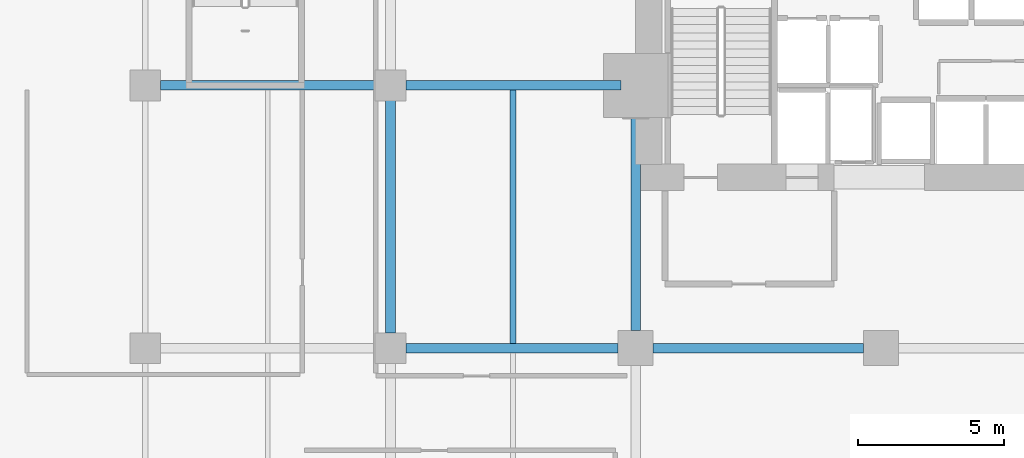
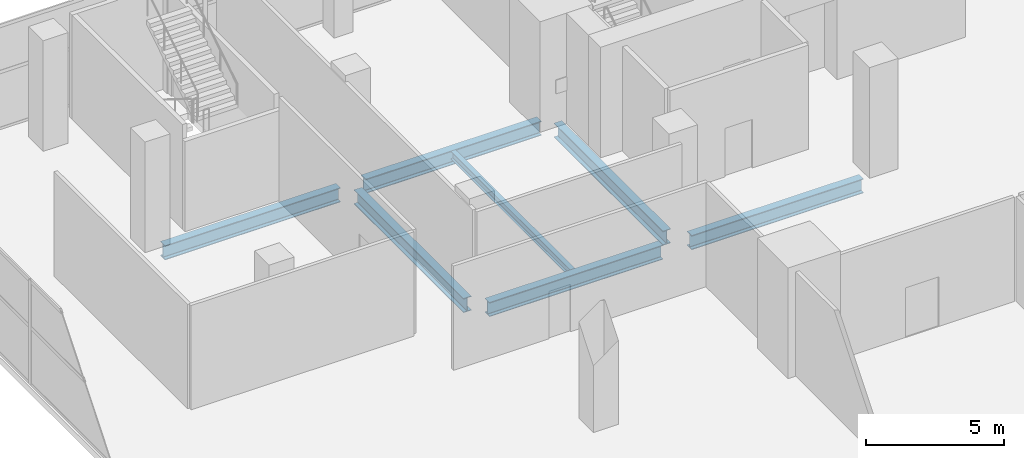
# One storey, part 19 of 39: 7 beams.
"""IFC4 building model written with IfcOpenShell, lengths in metres."""

from ifc_helpers import new_model, si_unit, direction, frame, origin, origin_2d, place, context, subcontext, project, spatial, i_section, extrude, material, material_profile, profile_set, type_object, element, save


model = new_model("IFC4")

# Units and contexts
model_context = context("Model", 3, precision=1e-05, world=origin(), true_north=direction((0.0, 1.0)))
body_context = subcontext(model_context, "Body", "Model", "MODEL_VIEW")
ifc_project = project(units=[si_unit("LENGTHUNIT", "METRE"), si_unit("AREAUNIT", "SQUARE_METRE"), si_unit("VOLUMEUNIT", "CUBIC_METRE"), si_unit("PLANEANGLEUNIT", "RADIAN"), si_unit("MASSUNIT", "GRAM", prefix="KILO")], contexts=[model_context])

# Site, building, storey
site_placement = place(None, origin())
site = spatial("IfcSite", under=ifc_project, at=site_placement, CompositionType="ELEMENT")
building_placement = place(site_placement, origin())
building = spatial("IfcBuilding", under=site, at=building_placement, Name="Maruvema Waterfront Hotel and Observation Tower", CompositionType="ELEMENT")
storey_placement = place(building_placement, frame((0.0, 0.0, 16.449951171875)))
storey = spatial("IfcBuildingStorey", under=building, at=storey_placement, Name="L03", CompositionType="ELEMENT", Elevation=16.449951171875)

# Beams
ifc_material_1 = material(Name="Steel ASTM A572 Grade 50", Category="steel")
ifc_material_profile_1 = material_profile(ifc_material_1, i_section(OverallWidth=0.3291015625, OverallDepth=0.635009765625, WebThickness=0.017822265625, FlangeThickness=0.031005859375, FilletRadius=0.01806640625, at=origin_2d()), Name="W610x241.0")
ifc_profile_set_1 = profile_set([ifc_material_profile_1], Name="Steel ASTM A572 Grade 50")
beam_type_1 = type_object("IfcBeamType", Name="Primary Floor Girder W610x241.0", PredefinedType="BEAM", material=ifc_profile_set_1)
beam_1_placement = place(storey_placement, frame((17.324951171875, 36.0, -0.597412109375), z_axis=(1.0, 0.0, 0.0), x_axis=(0.0, 1.0, 0.0)))
element("IfcBeam", 1, at=beam_1_placement, inside=storey, type_object=beam_type_1, Name="L03 Floor Girder EW-26", PredefinedType="BEAM", context=body_context, shape_type="SweptSolid", body=[
    extrude(i_section(OverallWidth=0.3291015625, OverallDepth=0.635009765625, WebThickness=0.017822265625, FlangeThickness=0.031005859375, FilletRadius=0.01806640625, at=origin_2d()), origin(), (0.0, 0.0, 1.0), 7.275146484375),
])
beam_2_placement = place(storey_placement, frame((25.800048828125, 36.0, -0.597412109375), z_axis=(1.0, 0.0, 0.0), x_axis=(0.0, 1.0, 0.0)))
element("IfcBeam", 2, at=beam_2_placement, inside=storey, type_object=beam_type_1, Name="L03 Floor Girder EW-27", PredefinedType="BEAM", context=body_context, shape_type="SweptSolid", body=[
    extrude(i_section(OverallWidth=0.3291015625, OverallDepth=0.635009765625, WebThickness=0.017822265625, FlangeThickness=0.031005859375, FilletRadius=0.01806640625, at=origin_2d()), origin(), (0.0, 0.0, 1.0), 7.199951171875),
])
beam_3_placement = place(storey_placement, frame((8.925048828125, 45.0, -0.597412109375), z_axis=(1.0, 0.0, 0.0), x_axis=(0.0, 1.0, 0.0)))
element("IfcBeam", 3, at=beam_3_placement, inside=storey, type_object=beam_type_1, Name="L03 Floor Girder EW-32", PredefinedType="BEAM", context=body_context, shape_type="SweptSolid", body=[
    extrude(i_section(OverallWidth=0.3291015625, OverallDepth=0.635009765625, WebThickness=0.017822265625, FlangeThickness=0.031005859375, FilletRadius=0.01806640625, at=origin_2d()), origin(), (0.0, 0.0, 1.0), 7.349853515625),
])
beam_4_placement = place(storey_placement, frame((17.324951171875, 45.0, -0.597412109375), z_axis=(1.0, 0.0, 0.0), x_axis=(0.0, 1.0, 0.0)))
element("IfcBeam", 4, at=beam_4_placement, inside=storey, type_object=beam_type_1, Name="L03 Floor Girder EW-33", PredefinedType="BEAM", context=body_context, shape_type="SweptSolid", body=[
    extrude(i_section(OverallWidth=0.3291015625, OverallDepth=0.635009765625, WebThickness=0.017822265625, FlangeThickness=0.031005859375, FilletRadius=0.01806640625, at=origin_2d()), origin(), (0.0, 0.0, 1.0), 7.375),
])
beam_5_placement = place(storey_placement, frame((16.800048828125, 36.52490234375, -0.597412109375), z_axis=(0.0, 1.0, 0.0), x_axis=(-1.0, 0.0, 0.0)))
element("IfcBeam", 5, at=beam_5_placement, inside=storey, type_object=beam_type_1, Name="L03 Floor Girder NS-11", PredefinedType="BEAM", context=body_context, shape_type="SweptSolid", body=[
    extrude(i_section(OverallWidth=0.3291015625, OverallDepth=0.635009765625, WebThickness=0.017822265625, FlangeThickness=0.031005859375, FilletRadius=0.01806640625, at=origin_2d()), origin(), (0.0, 0.0, 1.0), 7.9501953125),
])
beam_6_placement = place(storey_placement, frame((25.199951171875, 36.60009765625, -0.597412109375), z_axis=(0.0, 1.0, 0.0), x_axis=(-1.0, 0.0, 0.0)))
element("IfcBeam", 6, at=beam_6_placement, inside=storey, type_object=beam_type_1, Name="L03 Floor Girder NS-17", PredefinedType="BEAM", context=body_context, shape_type="SweptSolid", body=[
    extrude(i_section(OverallWidth=0.3291015625, OverallDepth=0.635009765625, WebThickness=0.017822265625, FlangeThickness=0.031005859375, FilletRadius=0.01806640625, at=origin_2d()), origin(), (0.0, 0.0, 1.0), 7.89990234375),
])
ifc_material_2 = material(Name="Steel ASTM A572 Grade 50", Category="steel")
ifc_material_profile_2 = material_profile(ifc_material_2, i_section(OverallWidth=0.202880859375, OverallDepth=0.346923828125, WebThickness=0.0078125, FlangeThickness=0.013427734375, FilletRadius=0.014892578125, at=origin_2d()), Name="W360x64.0")
ifc_profile_set_2 = profile_set([ifc_material_profile_2], Name="Steel ASTM A572 Grade 50")
beam_type_2 = type_object("IfcBeamType", Name="Secondary Floor Joist W360x64.0", PredefinedType="JOIST", material=ifc_profile_set_2)
beam_7_placement = place(storey_placement, frame((21.0, 36.16455078125, -0.453369140625), z_axis=(0.0, 1.0, 0.0), x_axis=(-1.0, 0.0, 0.0)))
element("IfcBeam", 7, at=beam_7_placement, inside=storey, type_object=beam_type_2, Name="L03 Secondary Floor Joist JS-08", PredefinedType="JOIST", context=body_context, shape_type="SweptSolid", body=[
    extrude(i_section(OverallWidth=0.202880859375, OverallDepth=0.346923828125, WebThickness=0.0078125, FlangeThickness=0.013427734375, FilletRadius=0.014892578125, at=origin_2d()), origin(), (0.0, 0.0, 1.0), 8.6708984375),
])

save(model, "model.ifc")
